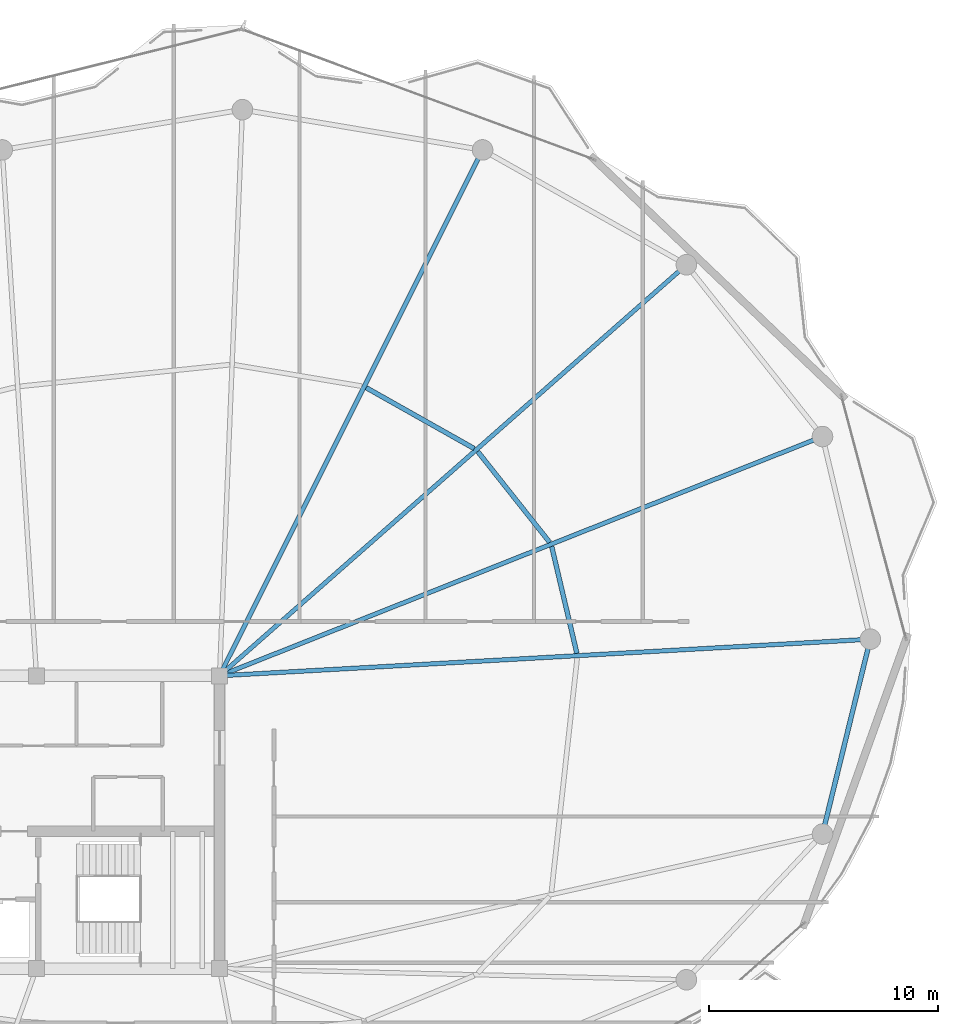
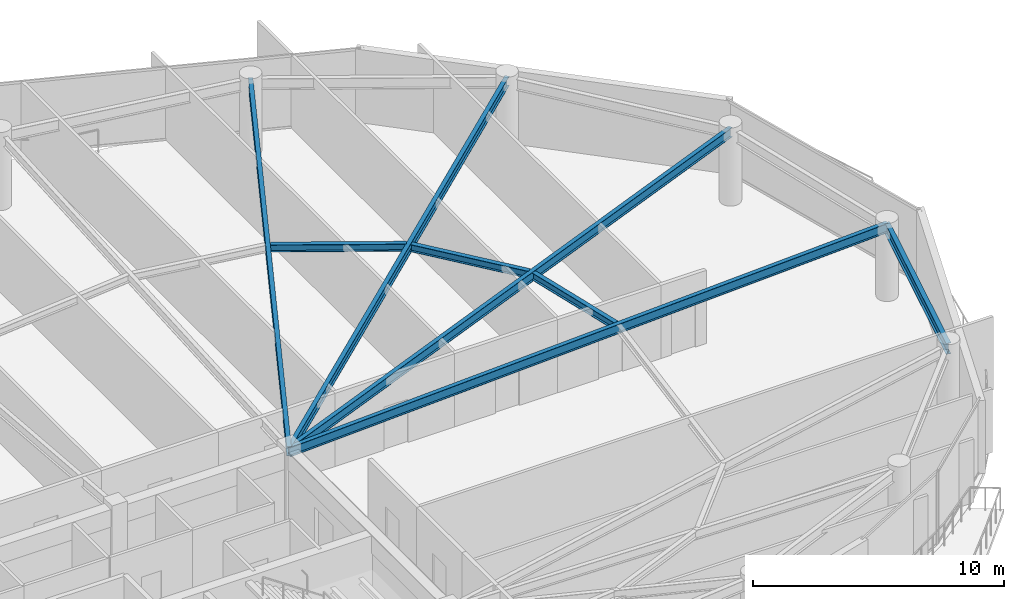
# One storey, part 16 of 29: 8 beams.
"""IFC4 building model written with IfcOpenShell, lengths in metres."""

import ifcopenshell
import ifcopenshell.guid

model = None  # the IFC model being written
_history = None  # IfcOwnerHistory: only IFC2X3 demands one
_inside = {}  # id of a spatial element -> (the spatial element, [elements in it])
_under = {}  # id of a project, library or spatial element -> (it, [spatial elements below it])
_declared = {}  # id of a project -> (the project, [libraries it declares])
_typed = {}  # id of a type object -> (the type object, [elements of that type])
_made_of = {}  # id of a material, layer set ... -> (it, [elements and type objects made of it])


def new_model(schema):
    """Start an empty IFC model of exactly this schema.

    Asked for "IFC4X3", IfcOpenShell would pick the latest addendum, in which some entities
    have other attributes; the version numbers below select the first issue.
    IFC2X3 requires an IfcOwnerHistory on every rooted entity: one is made here for all.
    """
    global model, _history
    if schema == "IFC4X3":
        model = ifcopenshell.file(schema_version=(4, 3, 0, 0))
    else:
        model = ifcopenshell.file(schema=schema)
    _inside.clear()
    _under.clear()
    _declared.clear()
    _typed.clear()
    _made_of.clear()
    _history = None
    if model.schema == "IFC2X3":
        org = make("IfcOrganization", Name="unknown")
        user = make(
            "IfcPersonAndOrganization",
            ThePerson=make("IfcPerson", FamilyName="unknown"),
            TheOrganization=org,
        )
        app = make(
            "IfcApplication",
            ApplicationDeveloper=org,
            Version="unknown",
            ApplicationFullName="unknown",
            ApplicationIdentifier="unknown",
        )
        _history = make(
            "IfcOwnerHistory",
            OwningUser=user,
            OwningApplication=app,
            ChangeAction="ADDED",
            CreationDate=0,
        )
    return model


def make(cls, **values):
    """One entity of the class cls with the attributes given. An attribute that is None is left unset."""
    return model.create_entity(
        cls, **{name: value for name, value in values.items() if value is not None}
    )


def rooted(cls, **values):
    """An entity with a GlobalId (a new one), such as an element, a storey or a relation."""
    return make(cls, GlobalId=ifcopenshell.guid.new(), OwnerHistory=_history, **values)


def si_unit(unit_type, name, prefix=None):
    """IfcSIUnit, for example si_unit("LENGTHUNIT", "METRE", prefix="MILLI")."""
    return make("IfcSIUnit", UnitType=unit_type, Prefix=prefix, Name=name)


def assignment(units):
    """IfcUnitAssignment: the units of a project."""
    return None if units is None else make("IfcUnitAssignment", Units=units)


def point(xyz):
    """IfcCartesianPoint."""
    return None if xyz is None else make("IfcCartesianPoint", Coordinates=xyz)


def direction(xyz):
    """IfcDirection."""
    return None if xyz is None else make("IfcDirection", DirectionRatios=xyz)


def frame(location, z_axis=None, x_axis=None):
    """IfcAxis2Placement3D, a coordinate frame: its origin and axes. An axis left out is left unset."""
    return make(
        "IfcAxis2Placement3D",
        Location=point(location),
        Axis=direction(z_axis),
        RefDirection=direction(x_axis),
    )


def frame_2d(location, x_axis=None):
    """IfcAxis2Placement2D, a coordinate frame in the plane: its origin and x axis."""
    return make(
        "IfcAxis2Placement2D", Location=point(location), RefDirection=direction(x_axis)
    )


def origin():
    """The frame at (0, 0, 0) with its axes left unset."""
    return frame((0.0, 0.0, 0.0))


def origin_2d():
    """The frame at (0, 0) in the plane with its x axis left unset."""
    return frame_2d((0.0, 0.0))


def place(relative_to, where):
    """IfcLocalPlacement: puts the frame where relative to a parent placement (None: the world)."""
    return make(
        "IfcLocalPlacement", PlacementRelTo=relative_to, RelativePlacement=where
    )


def context(
    kind, dimensions, precision=None, world=None, true_north=None, identifier=None
):
    """IfcGeometricRepresentationContext, for example the 3D "Model" context."""
    return make(
        "IfcGeometricRepresentationContext",
        ContextIdentifier=identifier,
        ContextType=kind,
        CoordinateSpaceDimension=dimensions,
        Precision=precision,
        WorldCoordinateSystem=world,
        TrueNorth=true_north,
    )


def subcontext(parent, identifier, kind, view, scale=None):
    """IfcGeometricRepresentationSubContext, for example "Body" below "Model"."""
    return make(
        "IfcGeometricRepresentationSubContext",
        ContextIdentifier=identifier,
        ContextType=kind,
        ParentContext=parent,
        TargetScale=scale,
        TargetView=view,
    )


def project(units=None, contexts=None):
    """IfcProject with its units and contexts."""
    return rooted(
        "IfcProject",
        Name="project",
        RepresentationContexts=contexts,
        UnitsInContext=assignment(units),
    )


def spatial(cls, under=None, at=None, **own):
    """A site, building, storey or space (cls), placed at a placement, below another one or the project."""
    s = rooted(cls, ObjectPlacement=at, **own)
    if under is not None:
        _under.setdefault(under.id(), (under, []))[1].append(s)
    return s


def profile(cls, at=None, kind="AREA", **sizes):
    """A parametric profile (cls). Its sizes go by their IFC names, for example OverallWidth=200.0."""
    return make(cls, ProfileType=kind, Position=at, **sizes)


def i_section(**sizes):
    """IfcIShapeProfileDef."""
    return profile("IfcIShapeProfileDef", **sizes)


def extrude(swept, where, along, depth):
    """IfcExtrudedAreaSolid: the profile swept, set in the frame where, extruded along a direction by depth."""
    return make(
        "IfcExtrudedAreaSolid",
        SweptArea=swept,
        Position=where,
        ExtrudedDirection=direction(along),
        Depth=depth,
    )


def shape(context_of_items, identifier, shape_type, items):
    """IfcShapeRepresentation: the items that make up one representation, for example the "Body"."""
    return make(
        "IfcShapeRepresentation",
        ContextOfItems=context_of_items,
        RepresentationIdentifier=identifier,
        RepresentationType=shape_type,
        Items=items,
    )


def material(Name=None, Category=None):
    """IfcMaterial."""
    return make("IfcMaterial", Name=Name, Category=Category)


def material_profile(
    of_material, cross_section, Name=None, Category=None, Priority=None
):
    """IfcMaterialProfile: a cross section and its material."""
    return make(
        "IfcMaterialProfile",
        Name=Name,
        Material=of_material,
        Profile=cross_section,
        Priority=Priority,
        Category=Category,
    )


def profile_set(profiles, Name=None, composite=None):
    """IfcMaterialProfileSet."""
    return make(
        "IfcMaterialProfileSet",
        Name=Name,
        MaterialProfiles=profiles,
        CompositeProfile=composite,
    )


def made_of(thing, what):
    """Note that an element or type object is made of a material, layer set ...; save() writes the relation."""
    if what is not None:
        _made_of.setdefault(what.id(), (what, []))[1].append(thing)
    return thing


def type_object(cls, material=None, **own):
    """A type object (cls), such as IfcWallType, which elements share."""
    return made_of(rooted(cls, **own), material)


def element(
    cls,
    number,
    at=None,
    inside=None,
    cuts=None,
    type_object=None,
    material=None,
    context=None,
    identifier="Body",
    shape_type=None,
    held_by="IfcProductDefinitionShape",
    body=None,
    shapes=None,
    **own,
):
    """One element of the class cls, such as IfcWall. Its Tag is "e" and its number.

    at: its placement. inside: the storey or other place that contains it. cuts: it is an
    opening in that element (IfcRelVoidsElement). A single representation is given by context,
    identifier, shape_type and body (its items); several are given by shapes. held_by: the class
    of the entity that holds the representations. save() writes the other relations.
    """
    e = rooted(cls, Tag="e%d" % number, ObjectPlacement=at, **own)
    if body is not None:
        shapes = [shape(context, identifier, shape_type, body)]
    if shapes is not None:
        e.Representation = make(held_by, Representations=shapes)
    if inside is not None:
        _inside.setdefault(inside.id(), (inside, []))[1].append(e)
    if cuts is not None:
        rooted(
            "IfcRelVoidsElement", RelatingBuildingElement=cuts, RelatedOpeningElement=e
        )
    if type_object is not None:
        _typed.setdefault(type_object.id(), (type_object, []))[1].append(e)
    return made_of(e, material)


def aggregate(whole, parts):
    """IfcRelAggregates: a whole, such as a stair, and the parts it consists of."""
    return rooted("IfcRelAggregates", RelatingObject=whole, RelatedObjects=parts)


def save(model, path):
    """Write the relations noted so far, then the file.

    IfcRelAggregates (storeys below a building ...), IfcRelContainedInSpatialStructure (elements
    in a storey), IfcRelDefinesByType, IfcRelAssociatesMaterial and IfcRelDeclares: one each for
    every whole, place, type object, material and project.
    """
    for whole, parts in _under.values():
        aggregate(whole, parts)
    for where, things in _inside.values():
        rooted(
            "IfcRelContainedInSpatialStructure",
            RelatedElements=things,
            RelatingStructure=where,
        )
    for kind, things in _typed.values():
        rooted("IfcRelDefinesByType", RelatedObjects=things, RelatingType=kind)
    for what, things in _made_of.values():
        rooted("IfcRelAssociatesMaterial", RelatedObjects=things, RelatingMaterial=what)
    for by, libraries in _declared.values():
        rooted("IfcRelDeclares", RelatingContext=by, RelatedDefinitions=libraries)
    model.write(path)


model = new_model("IFC4")

# Units and contexts
model_context = context("Model", 3, precision=1e-05, world=origin(), true_north=direction((0.0, 1.0)))
body_context = subcontext(model_context, "Body", "Model", "MODEL_VIEW")
ifc_project = project(units=[si_unit("LENGTHUNIT", "METRE"), si_unit("AREAUNIT", "SQUARE_METRE"), si_unit("VOLUMEUNIT", "CUBIC_METRE"), si_unit("PLANEANGLEUNIT", "RADIAN"), si_unit("MASSUNIT", "GRAM", prefix="KILO")], contexts=[model_context])

# Site, building, storey
site_placement = place(None, origin())
site = spatial("IfcSite", under=ifc_project, at=site_placement, CompositionType="ELEMENT")
building_placement = place(site_placement, origin())
building = spatial("IfcBuilding", under=site, at=building_placement, Name="Kazevale Care Tower and Concert Hall", CompositionType="ELEMENT")
storey_placement = place(building_placement, frame((0.0, 0.0, 285.199951171875)))
storey = spatial("IfcBuildingStorey", under=building, at=storey_placement, Name="L75", CompositionType="ELEMENT", Elevation=285.199951171875)

# Beams
ifc_material = material(Name="Steel ASTM A572 Gr 50", Category="steel")
ifc_material_profile_1 = material_profile(ifc_material, i_section(OverallWidth=0.19091796875, OverallDepth=0.4599609375, WebThickness=0.010009765625, FlangeThickness=0.01611328125, at=origin_2d()), Name="W460x82")
ifc_profile_set_1 = profile_set([ifc_material_profile_1], Name="Steel ASTM A572 Gr 50")
beam_type_1 = type_object("IfcBeamType", Name="Radial Floor Beam W460x82", PredefinedType="BEAM", material=ifc_profile_set_1)
beam_1_placement = place(storey_placement, frame((44.0, 36.39990234375, 3.330078125), z_axis=(0.998422130452, 0.056153801503, 0.0), x_axis=(-0.056153801503, 0.998422130452, 0.0)))
element("IfcBeam", 1, at=beam_1_placement, inside=storey, type_object=beam_type_1, Name="beam:L75:rad:01", PredefinedType="BEAM", context=body_context, shape_type="SweptSolid", body=[
    extrude(i_section(OverallWidth=0.19091796875, OverallDepth=0.4599609375, WebThickness=0.010009765625, FlangeThickness=0.01611328125, at=origin_2d()), origin(), (0.0, 0.0, 1.0), 28.494873046875),
])
beam_2_placement = place(storey_placement, frame((44.0, 36.39990234375, 3.330078125), z_axis=(0.929492585064, 0.368840798057, 0.0), x_axis=(-0.368840798057, 0.929492585064, 0.0)))
element("IfcBeam", 2, at=beam_2_placement, inside=storey, type_object=beam_type_1, Name="beam:L75:rad:02", PredefinedType="BEAM", context=body_context, shape_type="SweptSolid", body=[
    extrude(i_section(OverallWidth=0.19091796875, OverallDepth=0.4599609375, WebThickness=0.010009765625, FlangeThickness=0.01611328125, at=origin_2d()), origin(), (0.0, 0.0, 1.0), 28.359619140625),
])
beam_3_placement = place(storey_placement, frame((44.0, 36.39990234375, 3.330078125), z_axis=(0.750540377871, 0.660824591844, 0.0), x_axis=(-0.660824591844, 0.750540377871, 0.0)))
element("IfcBeam", 3, at=beam_3_placement, inside=storey, type_object=beam_type_1, Name="beam:L75:rad:03", PredefinedType="BEAM", context=body_context, shape_type="SweptSolid", body=[
    extrude(i_section(OverallWidth=0.19091796875, OverallDepth=0.4599609375, WebThickness=0.010009765625, FlangeThickness=0.01611328125, at=origin_2d()), origin(), (0.0, 0.0, 1.0), 27.193603515625),
])
beam_4_placement = place(storey_placement, frame((44.0, 36.39990234375, 3.330078125), z_axis=(0.447369347408, 0.894349298093, 0.0), x_axis=(-0.894349298093, 0.447369347408, 0.0)))
element("IfcBeam", 4, at=beam_4_placement, inside=storey, type_object=beam_type_1, Name="beam:L75:rad:04", PredefinedType="BEAM", context=body_context, shape_type="SweptSolid", body=[
    extrude(i_section(OverallWidth=0.19091796875, OverallDepth=0.4599609375, WebThickness=0.010009765625, FlangeThickness=0.01611328125, at=origin_2d()), origin(), (0.0, 0.0, 1.0), 25.705810546875),
])
ifc_material_profile_2 = material_profile(ifc_material, i_section(OverallWidth=0.205078125, OverallDepth=0.35400390625, WebThickness=0.009521484375, FlangeThickness=0.016845703125, at=origin_2d()), Name="W360x79")
ifc_profile_set_2 = profile_set([ifc_material_profile_2], Name="Steel ASTM A572 Gr 50")
beam_type_2 = type_object("IfcBeamType", Name="Secondary Floor Joist W360x79", PredefinedType="JOIST", material=ifc_profile_set_2)
beam_5_placement = place(storey_placement, frame((59.623046875, 37.382080078125, 3.383056640625), z_axis=(-0.2295328947, 0.973300904269, 0.0), x_axis=(-0.973300904269, -0.2295328947, 0.0)))
element("IfcBeam", 5, at=beam_5_placement, inside=storey, type_object=beam_type_2, Name="beam:L75:joist:01", PredefinedType="JOIST", context=body_context, shape_type="SweptSolid", body=[
    extrude(i_section(OverallWidth=0.205078125, OverallDepth=0.35400390625, WebThickness=0.009521484375, FlangeThickness=0.016845703125, at=origin_2d()), origin(), (0.0, 0.0, 1.0), 4.797119140625),
])
beam_6_placement = place(storey_placement, frame((58.43310546875, 42.235107421875, 3.383056640625), z_axis=(-0.621004461172, 0.783807029315, 0.0), x_axis=(-0.783807029315, -0.621004461172, 0.0)))
element("IfcBeam", 6, at=beam_6_placement, inside=storey, type_object=beam_type_2, Name="beam:L75:joist:02", PredefinedType="JOIST", context=body_context, shape_type="SweptSolid", body=[
    extrude(i_section(OverallWidth=0.205078125, OverallDepth=0.35400390625, WebThickness=0.009521484375, FlangeThickness=0.016845703125, at=origin_2d()), origin(), (0.0, 0.0, 1.0), 5.0595703125),
])
beam_7_placement = place(storey_placement, frame((55.134033203125, 46.3349609375, 3.383056640625), z_axis=(-0.871253873352, 0.490832647823, 0.0), x_axis=(-0.490832647823, -0.871253873352, 0.0)))
element("IfcBeam", 7, at=beam_7_placement, inside=storey, type_object=beam_type_2, Name="beam:L75:joist:03", PredefinedType="JOIST", context=body_context, shape_type="SweptSolid", body=[
    extrude(i_section(OverallWidth=0.205078125, OverallDepth=0.35400390625, WebThickness=0.009521484375, FlangeThickness=0.016845703125, at=origin_2d()), origin(), (0.0, 0.0, 1.0), 5.415283203125),
])
ifc_material_profile_3 = material_profile(ifc_material, i_section(OverallWidth=0.208984375, OverallDepth=0.532958984375, WebThickness=0.01025390625, FlangeThickness=0.015625, at=origin_2d()), Name="W530x92")
ifc_profile_set_3 = profile_set([ifc_material_profile_3], Name="Steel ASTM A572 Gr 50")
beam_type_3 = type_object("IfcBeamType", Name="Upper Ring Beam W530x92", PredefinedType="BEAM", material=ifc_profile_set_3)
beam_8_placement = place(storey_placement, frame((70.360107421875, 29.47998046875, 3.29345703125), z_axis=(0.238224499566, 0.971210115169, 0.0), x_axis=(-0.971210115169, 0.238224499566, 0.0)))
element("IfcBeam", 8, at=beam_8_placement, inside=storey, type_object=beam_type_3, Name="beam:L75:ring:16", PredefinedType="BEAM", context=body_context, shape_type="SweptSolid", body=[
    extrude(i_section(OverallWidth=0.208984375, OverallDepth=0.532958984375, WebThickness=0.01025390625, FlangeThickness=0.015625, at=origin_2d()), origin(), (0.0, 0.0, 1.0), 8.7724609375),
])

save(model, "model.ifc")
